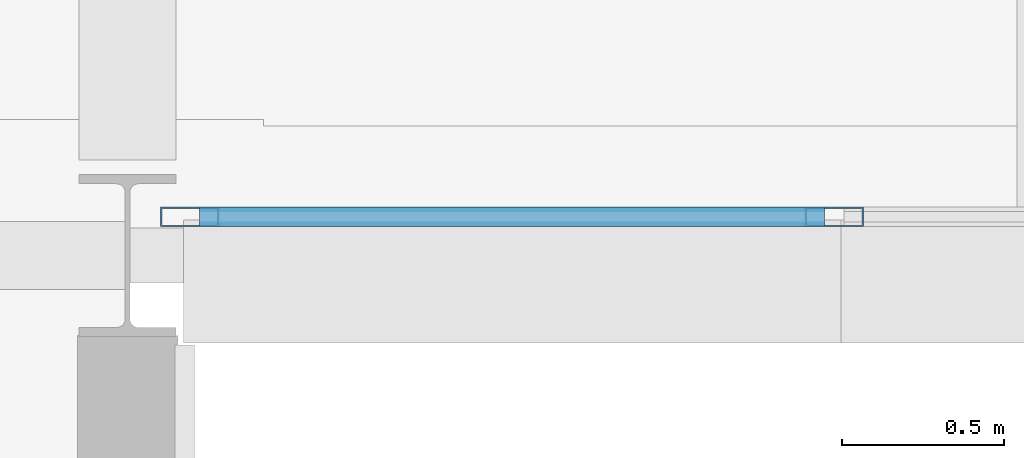
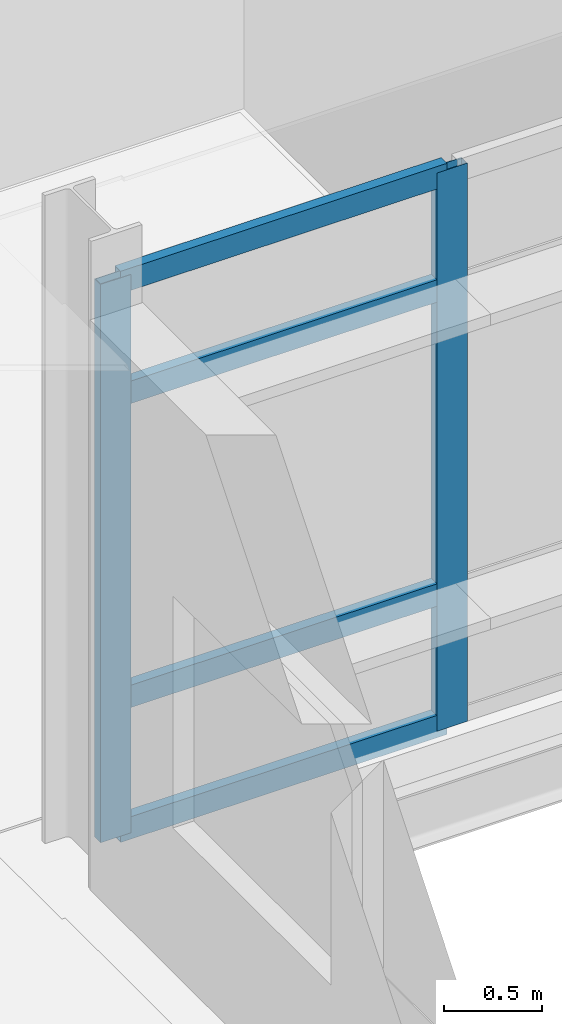
# One storey, part 81 of 151: 6 members, 1 element without a shape of its own.
"""IFC4 building model written with IfcOpenShell, lengths in metres."""

from ifc_helpers import new_model, si_unit, direction, frame, origin, origin_2d, place, context, subcontext, project, spatial, hollow_rectangle, extrude, material, material_profile, profile_set, type_object, element, aggregate, save


model = new_model("IFC4")

# Units and contexts
model_context = context("Model", 3, precision=1e-05, world=origin(), true_north=direction((0.0, 1.0)))
body_context = subcontext(model_context, "Body", "Model", "MODEL_VIEW")
ifc_project = project(units=[si_unit("LENGTHUNIT", "METRE"), si_unit("AREAUNIT", "SQUARE_METRE"), si_unit("VOLUMEUNIT", "CUBIC_METRE"), si_unit("PLANEANGLEUNIT", "RADIAN"), si_unit("MASSUNIT", "GRAM", prefix="KILO")], contexts=[model_context])

# Site, building, storey
site_placement = place(None, origin())
site = spatial("IfcSite", under=ifc_project, at=site_placement, CompositionType="ELEMENT")
building_placement = place(site_placement, origin())
building = spatial("IfcBuilding", under=site, at=building_placement, Name="Mersafa Astral City Hall", CompositionType="ELEMENT")
storey_placement = place(building_placement, frame((0.0, 0.0, 9.89990234375)))
storey = spatial("IfcBuildingStorey", under=building, at=storey_placement, Name="L02", CompositionType="ELEMENT", Elevation=9.89990234375)

# Curtain wall, members
ifc_material = material(Name="Anodised bronze aluminium framing", Category="aluminium")
curtain_wall_type = type_object("IfcCurtainWallType", Name="ENV-CW-4", PredefinedType="USERDEFINED", material=ifc_material)
curtain_wall_placement = place(storey_placement, origin())
curtain_wall = element("IfcCurtainWall", 1, at=curtain_wall_placement, inside=storey, type_object=curtain_wall_type, Name="L02 Unitised solar curtain wall 117", ObjectType="UNITISED CURTAIN WALL", PredefinedType="USERDEFINED")
ifc_material_profile_1 = material_profile(ifc_material, hollow_rectangle(XDim=0.06005859375, YDim=0.179931640625, WallThickness=0.00390625, at=origin_2d()), Name="RHS 60x180x4")
ifc_profile_set_1 = profile_set([ifc_material_profile_1], Name="Anodised bronze aluminium framing")
member_type_1 = type_object("IfcMemberType", Name="ENV-CW-MUL-1", PredefinedType="MULLION", material=ifc_profile_set_1)
member_1_placement = place(storey_placement, frame((117.7919921875, 117.719970703125, -0.001953125), z_axis=(0.0, 0.0, 1.0), x_axis=(0.0, 1.0, 0.0)))
member_1 = element("IfcMember", 2, at=member_1_placement, type_object=member_type_1, Name="CW-4 mullion 1", PredefinedType="MULLION", context=body_context, shape_type="SweptSolid", body=[
    extrude(hollow_rectangle(XDim=0.06005859375, YDim=0.179931640625, WallThickness=0.00390625, at=origin_2d()), origin(), (0.0, 0.0, 1.0), 3.489013671875),
])
member_2_placement = place(storey_placement, frame((119.781005859375, 117.719970703125, -0.001953125), z_axis=(0.0, 0.0, 1.0), x_axis=(0.0, 1.0, 0.0)))
member_2 = element("IfcMember", 3, at=member_2_placement, type_object=member_type_1, Name="CW-4 mullion 2", PredefinedType="MULLION", context=body_context, shape_type="SweptSolid", body=[
    extrude(hollow_rectangle(XDim=0.06005859375, YDim=0.179931640625, WallThickness=0.00390625, at=origin_2d()), origin(), (0.0, 0.0, 1.0), 3.489013671875),
])
ifc_material_profile_2 = material_profile(ifc_material, hollow_rectangle(XDim=0.06005859375, YDim=0.139892578125, WallThickness=0.00390625, at=origin_2d()), Name="RHS 60x140x4")
ifc_profile_set_2 = profile_set([ifc_material_profile_2], Name="Anodised bronze aluminium framing")
member_type_2 = type_object("IfcMemberType", Name="ENV-CW-TRN-1", PredefinedType="USERDEFINED", material=ifc_profile_set_2)
member_3_placement = place(storey_placement, frame((117.822021484375, 117.719970703125, 0.028076171875), z_axis=(1.0, 0.0, 0.0), x_axis=(0.0, 1.0, 0.0)))
member_3 = element("IfcMember", 4, at=member_3_placement, type_object=member_type_2, Name="CW-4 transom 1.1", ObjectType="TRANSOM", PredefinedType="USERDEFINED", context=body_context, shape_type="SweptSolid", body=[
    extrude(hollow_rectangle(XDim=0.06005859375, YDim=0.139892578125, WallThickness=0.00390625, at=origin_2d()), origin(), (0.0, 0.0, 1.0), 1.928955078125),
])
member_4_placement = place(storey_placement, frame((117.822021484375, 117.719970703125, 0.85009765625), z_axis=(1.0, 0.0, 0.0), x_axis=(0.0, 1.0, 0.0)))
member_4 = element("IfcMember", 5, at=member_4_placement, type_object=member_type_2, Name="CW-4 transom 1.2", ObjectType="TRANSOM", PredefinedType="USERDEFINED", context=body_context, shape_type="SweptSolid", body=[
    extrude(hollow_rectangle(XDim=0.06005859375, YDim=0.139892578125, WallThickness=0.00390625, at=origin_2d()), origin(), (0.0, 0.0, 1.0), 1.928955078125),
])
member_5_placement = place(storey_placement, frame((117.822021484375, 117.719970703125, 2.75), z_axis=(1.0, 0.0, 0.0), x_axis=(0.0, 1.0, 0.0)))
member_5 = element("IfcMember", 6, at=member_5_placement, type_object=member_type_2, Name="CW-4 transom 1.3", ObjectType="TRANSOM", PredefinedType="USERDEFINED", context=body_context, shape_type="SweptSolid", body=[
    extrude(hollow_rectangle(XDim=0.06005859375, YDim=0.139892578125, WallThickness=0.00390625, at=origin_2d()), origin(), (0.0, 0.0, 1.0), 1.928955078125),
])
member_6_placement = place(storey_placement, frame((117.822021484375, 117.719970703125, 3.45703125), z_axis=(1.0, 0.0, 0.0), x_axis=(0.0, 1.0, 0.0)))
member_6 = element("IfcMember", 7, at=member_6_placement, type_object=member_type_2, Name="CW-4 transom 1.4", ObjectType="TRANSOM", PredefinedType="USERDEFINED", context=body_context, shape_type="SweptSolid", body=[
    extrude(hollow_rectangle(XDim=0.06005859375, YDim=0.139892578125, WallThickness=0.00390625, at=origin_2d()), origin(), (0.0, 0.0, 1.0), 1.928955078125),
])
aggregate(curtain_wall, [member_1, member_2, member_3, member_4, member_5, member_6])

save(model, "model.ifc")
